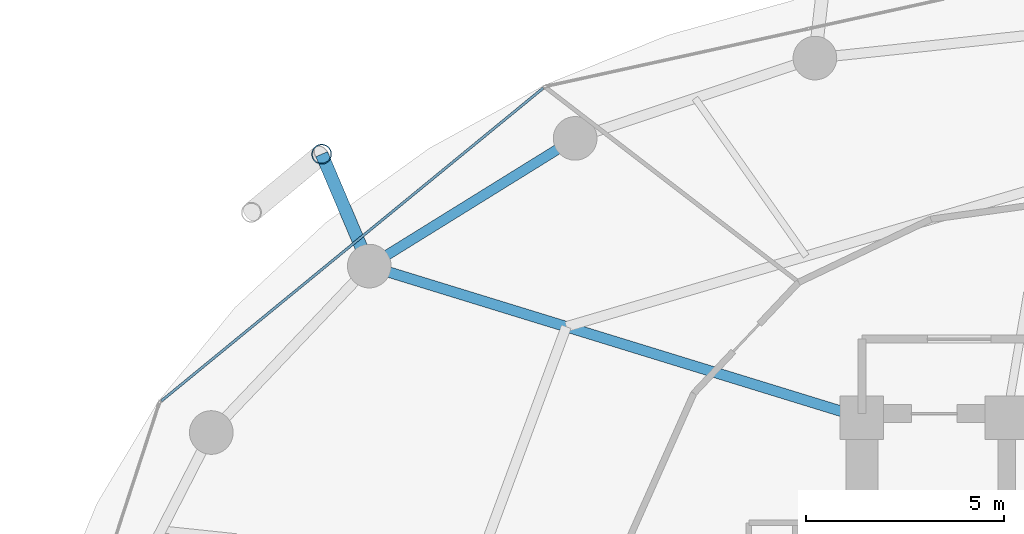
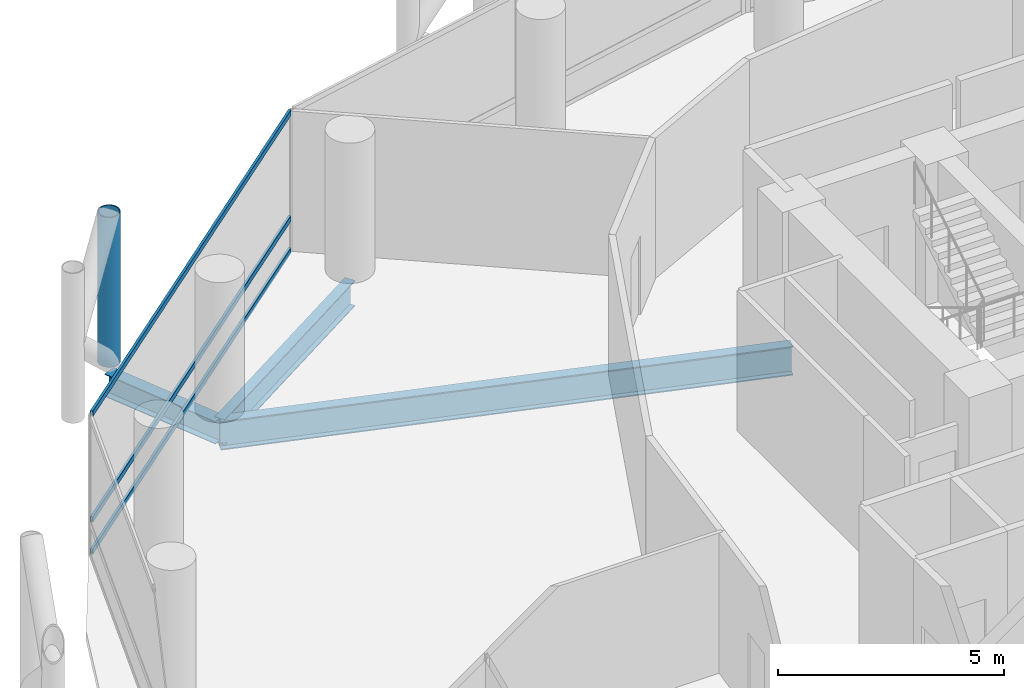
# One storey, part 14 of 24: 4 members, 3 beams, 1 element without a shape of its own.
"""IFC4 building model written with IfcOpenShell, lengths in metres."""

from ifc_helpers import new_model, si_unit, direction, frame, origin, origin_2d, place, context, subcontext, project, spatial, hollow_rectangle, hollow_circle, i_section, extrude, material, layer, layer_set, material_profile, profile_set, type_object, element, aggregate, save


model = new_model("IFC4")

# Units and contexts
model_context = context("Model", 3, precision=1e-05, world=origin(), true_north=direction((0.0, 1.0)))
body_context = subcontext(model_context, "Body", "Model", "MODEL_VIEW")
ifc_project = project(units=[si_unit("LENGTHUNIT", "METRE"), si_unit("AREAUNIT", "SQUARE_METRE"), si_unit("VOLUMEUNIT", "CUBIC_METRE"), si_unit("PLANEANGLEUNIT", "RADIAN"), si_unit("MASSUNIT", "GRAM", prefix="KILO")], contexts=[model_context])

# Site, building, storey
site_placement = place(None, origin())
site = spatial("IfcSite", under=ifc_project, at=site_placement, CompositionType="ELEMENT")
building_placement = place(site_placement, origin())
building = spatial("IfcBuilding", under=site, at=building_placement, Name="Nuhasar Tower", CompositionType="ELEMENT")
storey_placement = place(building_placement, frame((0.0, 0.0, 33.14990234375)))
storey = spatial("IfcBuildingStorey", under=building, at=storey_placement, Name="L07", CompositionType="ELEMENT", Elevation=33.14990234375)

# Beams
ifc_material_1 = material(Name="Steel S355", Category="steel")
ifc_material_profile_1 = material_profile(ifc_material_1, i_section(OverallWidth=0.26611328125, OverallDepth=0.779052734375, WebThickness=0.0166015625, FlangeThickness=0.030029296875, at=origin_2d()), Name="W30X148")
ifc_profile_set_1 = profile_set([ifc_material_profile_1], Name="Steel S355")
beam_type_1 = type_object("IfcBeamType", Name="BM-RAD-W30X148", PredefinedType="BEAM", material=ifc_profile_set_1)
beam_1_placement = place(storey_placement, frame((33.699951171875, 37.300048828125, -0.64892578125), z_axis=(-0.955789576103, 0.294051502653, 0.0), x_axis=(-0.294051502653, -0.955789576103, 0.0)))
element("IfcBeam", 1, at=beam_1_placement, inside=storey, type_object=beam_type_1, Name="L07 Radial Floor Girder 07", PredefinedType="BEAM", context=body_context, shape_type="SweptSolid", body=[
    extrude(i_section(OverallWidth=0.26611328125, OverallDepth=0.779052734375, WebThickness=0.0166015625, FlangeThickness=0.030029296875, at=origin_2d()), origin(), (0.0, 0.0, 1.0), 12.987060546875),
])
ifc_material_profile_2 = material_profile(ifc_material_1, i_section(OverallWidth=0.256103515625, OverallDepth=0.693115234375, WebThickness=0.014404296875, FlangeThickness=0.023681640625, at=origin_2d()), Name="W27X114")
ifc_profile_set_2 = profile_set([ifc_material_profile_2], Name="Steel S355")
beam_type_2 = type_object("IfcBeamType", Name="BM-RING-W27X114", PredefinedType="SPANDREL", material=ifc_profile_set_2)
beam_2_placement = place(storey_placement, frame((26.47509765625, 44.3369140625, -0.60595703125), z_axis=(-0.849795216549, -0.527112976439, 0.0), x_axis=(0.527112976439, -0.849795216549, 0.0)))
element("IfcBeam", 2, at=beam_2_placement, inside=storey, type_object=beam_type_2, Name="L07 Perimeter Ring Spandrel 09", PredefinedType="SPANDREL", context=body_context, shape_type="SweptSolid", body=[
    extrude(i_section(OverallWidth=0.256103515625, OverallDepth=0.693115234375, WebThickness=0.014404296875, FlangeThickness=0.023681640625, at=origin_2d()), origin(), (0.0, 0.0, 1.0), 6.10498046875),
])
ifc_material_profile_3 = material_profile(ifc_material_1, i_section(OverallWidth=0.323974609375, OverallDepth=0.611083984375, WebThickness=0.0126953125, FlangeThickness=0.01904296875, at=origin_2d()), Name="W24X104")
ifc_profile_set_3 = profile_set([ifc_material_profile_3], Name="Steel S355")
beam_type_3 = type_object("IfcBeamType", Name="BM-TIE-W24X104", PredefinedType="BEAM", material=ifc_profile_set_3)
beam_3_placement = place(storey_placement, frame((21.287109375, 41.118896484375, -0.56591796875), z_axis=(-0.391601084021, 0.920135093882, 0.0), x_axis=(-0.920135093882, -0.391601084021, 0.0)))
element("IfcBeam", 3, at=beam_3_placement, inside=storey, type_object=beam_type_3, Name="L07 Exoskeleton Node Tie Beam 05", PredefinedType="BEAM", context=body_context, shape_type="SweptSolid", body=[
    extrude(i_section(OverallWidth=0.323974609375, OverallDepth=0.611083984375, WebThickness=0.0126953125, FlangeThickness=0.01904296875, at=origin_2d()), origin(), (0.0, 0.0, 1.0), 3.06494140625),
])

# Curtain wall, members
ifc_material_2 = material(Name="Aluminium 6063-T6", Category="aluminium")
ifc_layer = layer(ifc_material_2, 0.199951171875)
ifc_layer_set = layer_set([ifc_layer], Name="Aluminium 6063-T6")
curtain_wall_type = type_object("IfcCurtainWallType", Name="CW-Z1-OFF", PredefinedType="NOTDEFINED", material=ifc_layer_set)
curtain_wall_placement = place(storey_placement, origin())
curtain_wall = element("IfcCurtainWall", 4, at=curtain_wall_placement, inside=storey, type_object=curtain_wall_type, Name="L07 Unitised Curtain Wall 05", PredefinedType="NOTDEFINED")
ifc_material_profile_4 = material_profile(ifc_material_2, hollow_rectangle(XDim=0.06494140625, YDim=0.14990234375, WallThickness=0.00439453125, at=origin_2d()), Name="CWT-2")
ifc_profile_set_4 = profile_set([ifc_material_profile_4], Name="Aluminium 6063-T6")
member_type_1 = type_object("IfcMemberType", Name="CW-TRN-S2", PredefinedType="USERDEFINED", material=ifc_profile_set_4)
member_1_placement = place(storey_placement, frame((25.669677734375, 45.603759765625, 0.03271484375), z_axis=(-0.773540851599, -0.633746440548, 0.0), x_axis=(0.633746440548, -0.773540851599, 0.0)))
member_1 = element("IfcMember", 5, at=member_1_placement, type_object=member_type_1, Name="CW-Z1 transom 1.1", ObjectType="TRANSOM", PredefinedType="USERDEFINED", context=body_context, shape_type="SweptSolid", body=[
    extrude(hollow_rectangle(XDim=0.06494140625, YDim=0.14990234375, WallThickness=0.00439453125, at=origin_2d()), origin(), (0.0, 0.0, 1.0), 12.43798828125),
])
member_2_placement = place(storey_placement, frame((25.669677734375, 45.603759765625, 0.900146484375), z_axis=(-0.773540851599, -0.633746440548, 0.0), x_axis=(0.633746440548, -0.773540851599, 0.0)))
member_2 = element("IfcMember", 6, at=member_2_placement, type_object=member_type_1, Name="CW-Z1 transom 1.2", ObjectType="TRANSOM", PredefinedType="USERDEFINED", context=body_context, shape_type="SweptSolid", body=[
    extrude(hollow_rectangle(XDim=0.06494140625, YDim=0.14990234375, WallThickness=0.00439453125, at=origin_2d()), origin(), (0.0, 0.0, 1.0), 12.43798828125),
])
member_3_placement = place(storey_placement, frame((25.669677734375, 45.603759765625, 3.757568359375), z_axis=(-0.773540851599, -0.633746440548, 0.0), x_axis=(0.633746440548, -0.773540851599, 0.0)))
member_3 = element("IfcMember", 7, at=member_3_placement, type_object=member_type_1, Name="CW-Z1 transom 1.3", ObjectType="TRANSOM", PredefinedType="USERDEFINED", context=body_context, shape_type="SweptSolid", body=[
    extrude(hollow_rectangle(XDim=0.06494140625, YDim=0.14990234375, WallThickness=0.00439453125, at=origin_2d()), origin(), (0.0, 0.0, 1.0), 12.43798828125),
])
aggregate(curtain_wall, [member_1, member_2, member_3])

# Member
ifc_material_3 = material(Name="Steel S460", Category="steel")
ifc_material_profile_5 = material_profile(ifc_material_3, hollow_circle(Radius=0.25390625, WallThickness=0.025390625, at=origin_2d()), Name="HSS508X25.4")
ifc_profile_set_5 = profile_set([ifc_material_profile_5], Name="Steel S460")
member_type_2 = type_object("IfcMemberType", Name="EXO-BRONZE-508", PredefinedType="BRACE", material=ifc_profile_set_5)
member_4_placement = place(storey_placement, frame((20.0869140625, 43.93896484375, 0.0), z_axis=(0.0, 0.0, 1.0), x_axis=(1.0, 0.0, 0.0)))
element("IfcMember", 8, at=member_4_placement, inside=storey, type_object=member_type_2, Name="L07 Exoskeleton Chord Column EC-05A", PredefinedType="BRACE", context=body_context, shape_type="SweptSolid", body=[
    extrude(hollow_circle(Radius=0.25390625, WallThickness=0.025390625, at=origin_2d()), origin(), (0.0, 0.0, 1.0), 4.050048828125),
])

save(model, "model.ifc")
